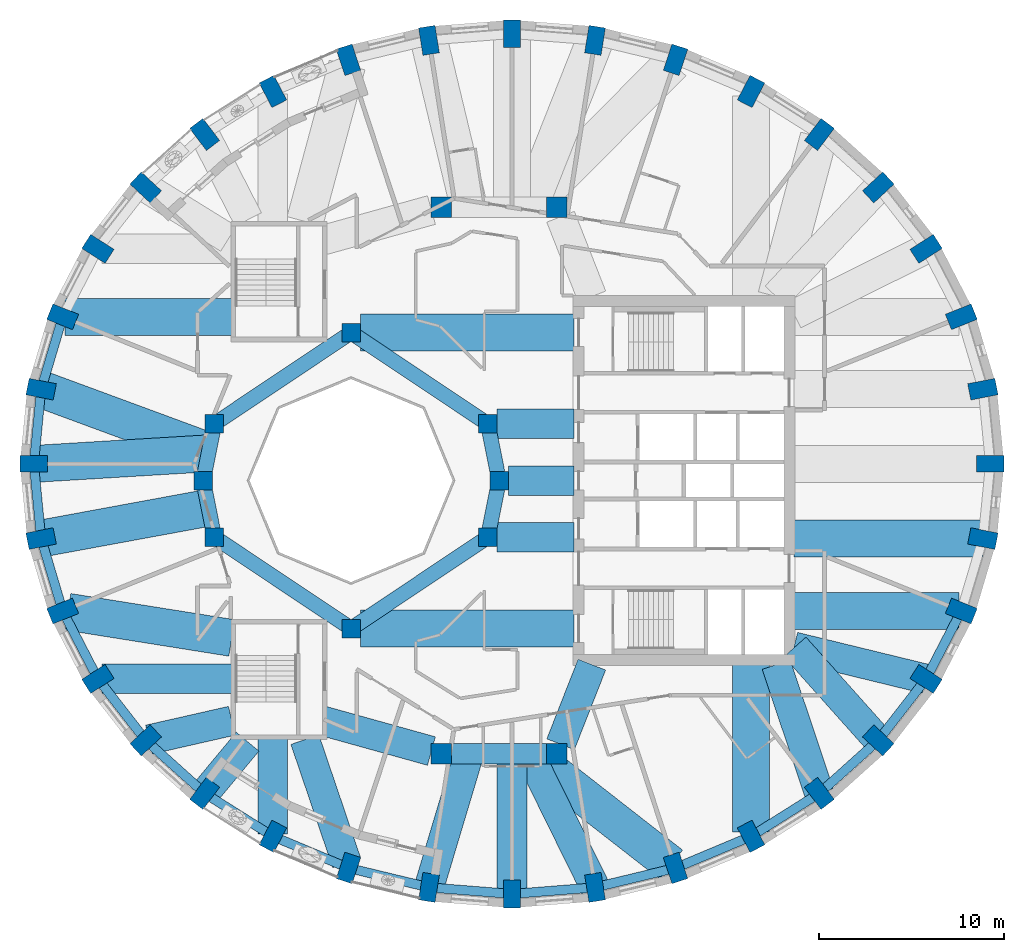
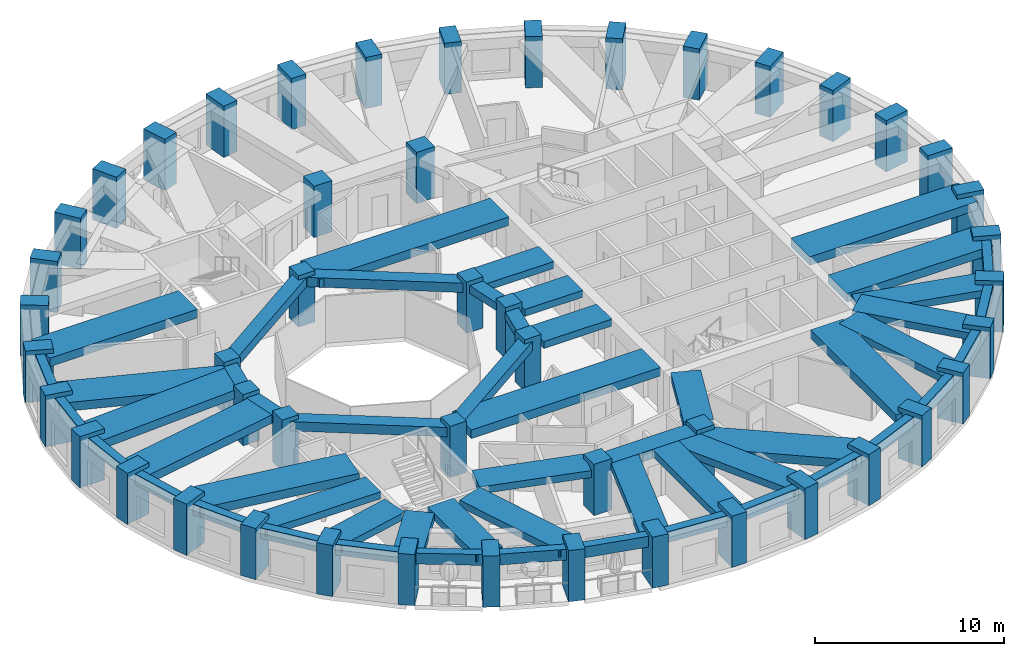
# One storey, part 1 of 12: 54 beams, 48 columns.
"""IFC4 building model written with IfcOpenShell, lengths in metres."""

from ifc_helpers import new_model, si_unit, direction, frame, origin, origin_2d, place, context, subcontext, project, spatial, rectangle, extrude, material, material_profile, profile_set, type_object, element, save


model = new_model("IFC4")

# Units and contexts
model_context = context("Model", 3, precision=1e-05, world=origin(), true_north=direction((0.0, 1.0)))
body_context = subcontext(model_context, "Body", "Model", "MODEL_VIEW")
ifc_project = project(units=[si_unit("LENGTHUNIT", "METRE"), si_unit("AREAUNIT", "SQUARE_METRE"), si_unit("VOLUMEUNIT", "CUBIC_METRE"), si_unit("PLANEANGLEUNIT", "RADIAN"), si_unit("MASSUNIT", "GRAM", prefix="KILO")], contexts=[model_context])

# Site, building, storey
site_placement = place(None, origin())
site = spatial("IfcSite", under=ifc_project, at=site_placement, CompositionType="ELEMENT")
building_placement = place(site_placement, origin())
building = spatial("IfcBuilding", under=site, at=building_placement, Name="Taillehof Tower", CompositionType="ELEMENT")
storey_placement = place(building_placement, frame((0.0, 0.0, 215.60009765625)))
storey = spatial("IfcBuildingStorey", under=building, at=storey_placement, Name="L61", CompositionType="ELEMENT", Elevation=215.60009765625)

# Columns
ifc_material_1 = material(Name="Concrete C50/60", Category="concrete")
ifc_material_profile_1 = material_profile(ifc_material_1, rectangle(XDim=1.0, YDim=1.0, at=origin_2d()), Name="RC 1000x1000")
ifc_profile_set_1 = profile_set([ifc_material_profile_1], Name="Concrete C50/60")
column_type_1 = type_object("IfcColumnType", Name="Atrium ring column C50/60 1000x1000", PredefinedType="COLUMN", material=ifc_profile_set_1)
for number, where, z_axis, x_axis, name in (
    (1, (0.0, 0.0, 0.0), (0.0, 0.0, 1.0), (1.0, 0.0, 0.0), "Column AC01"),
    (2, (-0.60888671875, 3.0615234375, 0.0), (0.0, 0.0, 1.0), (1.0, 0.0, 0.0), "Column AC02"),
    (3, (-8.0, 8.0, 0.0), (0.0, 0.0, 1.0), (1.0, 0.0, 0.0), "Column AC05"),
    (4, (-15.39111328125, 3.0615234375, 0.0), (0.0, 0.0, 1.0), (1.0, 0.0, 0.0), "Column AC08"),
    (5, (-16.0, 0.0, 0.0), (0.0, 0.0, 1.0), (1.0, 0.0, 0.0), "Column AC09"),
    (6, (-15.39111328125, -3.0615234375, 0.0), (0.0, 0.0, 1.0), (1.0, 0.0, 0.0), "Column AC10"),
    (7, (-8.0, -8.0, 0.0), (0.0, 0.0, 1.0), (1.0, 0.0, 0.0), "Column AC13"),
    (8, (-0.60888671875, -3.0615234375, 0.0), (0.0, 0.0, 1.0), (1.0, 0.0, 0.0), "Column AC16"),
):
    element("IfcColumn", number, at=place(storey_placement, frame(where, z_axis=z_axis, x_axis=x_axis)), inside=storey, type_object=column_type_1, Name=name, PredefinedType="COLUMN", context=body_context, shape_type="SweptSolid", body=[
        extrude(rectangle(XDim=1.0, YDim=1.0, at=origin_2d()), origin(), (0.0, 0.0, 1.0), 3.2998046875),
    ])
ifc_material_2 = material(Name="Concrete C50/60", Category="concrete")
ifc_material_profile_2 = material_profile(ifc_material_2, rectangle(XDim=1.10009765625, YDim=1.10009765625, at=origin_2d()), Name="RC 1100x1100")
ifc_profile_set_2 = profile_set([ifc_material_profile_2], Name="Concrete C50/60")
column_type_2 = type_object("IfcColumnType", Name="Mid-ring column C50/60 1100x1100", PredefinedType="COLUMN", material=ifc_profile_set_2)
for number, where, z_axis, x_axis, name in (
    (9, (3.125732421875, 14.772216796875, 0.0), (0.0, 0.0, 1.0), (1.0, 0.0, 0.0), "Column MC05"),
    (10, (-3.125732421875, 14.772216796875, 0.0), (0.0, 0.0, 1.0), (1.0, 0.0, 0.0), "Column MC06"),
    (11, (-3.125732421875, -14.772216796875, 0.0), (0.0, 0.0, 1.0), (1.0, 0.0, 0.0), "Column MC14"),
    (12, (3.125732421875, -14.772216796875, 0.0), (0.0, 0.0, 1.0), (1.0, 0.0, 0.0), "Column MC15"),
):
    element("IfcColumn", number, at=place(storey_placement, frame(where, z_axis=z_axis, x_axis=x_axis)), inside=storey, type_object=column_type_2, Name=name, PredefinedType="COLUMN", context=body_context, shape_type="SweptSolid", body=[
        extrude(rectangle(XDim=1.10009765625, YDim=1.10009765625, at=origin_2d()), origin(), (0.0, 0.0, 1.0), 3.2998046875),
    ])
ifc_material_3 = material(Name="Concrete C60/75", Category="concrete")
ifc_material_profile_3 = material_profile(ifc_material_3, rectangle(XDim=1.5, YDim=0.89990234375, at=origin_2d()), Name="RC 1500x900")
ifc_profile_set_3 = profile_set([ifc_material_profile_3], Name="Concrete C60/75")
column_type_3 = type_object("IfcColumnType", Name="Ring column C60/75 1500x900", PredefinedType="COLUMN", material=ifc_profile_set_3)
for number, where, z_axis, x_axis, name in (
    (13, (26.550048828125, 0.89990234375, 0.0), (0.0, 0.0, 1.0), (1.0, 0.0, 0.0), "Ring column RC01"),
    (14, (26.1572265625, 4.937255859375, 0.0), (0.0, 0.0, 1.0), (0.981433894538, 0.191800705555, 0.0), "Ring column RC02"),
    (15, (24.990966796875, 8.85205078125, 0.0), (0.0, 0.0, 1.0), (0.927385290523, 0.374107635477, 0.0), "Ring column RC03"),
    (16, (23.086669921875, 12.52490234375, 0.0), (0.0, 0.0, 1.0), (0.84231094199, 0.538991908107, 0.0), "Ring column RC04"),
    (17, (20.502197265625, 15.8447265625, 0.0), (0.0, 0.0, 1.0), (0.732270888356, 0.681013469813, 0.0), "Ring column RC05"),
    (18, (17.316162109375, 18.71044921875, 0.0), (0.0, 0.0, 1.0), (0.60360770772, 0.797281465469, 0.0), "Ring column RC06"),
    (19, (13.625, 21.03515625, 0.0), (0.0, 0.0, 1.0), (0.461993199576, 0.886883466722, 0.0), "Ring column RC07"),
    (20, (9.541259765625, 22.747802734375, 0.0), (0.0, 0.0, 1.0), (0.312001306843, 0.950081672557, 0.0), "Ring column RC08"),
    (21, (5.188720703125, 23.796875, 0.0), (0.0, 0.0, 1.0), (0.157116034607, 0.987580149491, 0.0), "Ring column RC09"),
    (22, (0.699951171875, 24.14990234375, 0.0), (0.0, 0.0, 1.0), (0.0, 1.0, 0.0), "Ring column RC10"),
    (23, (-3.788818359375, 23.796875, 0.0), (0.0, 0.0, 1.0), (-0.157116034607, 0.987580149491, 0.0), "Ring column RC11"),
    (24, (-8.14111328125, 22.747802734375, 0.0), (0.0, 0.0, 1.0), (-0.312001306843, 0.950081672557, 0.0), "Ring column RC12"),
    (25, (-12.22509765625, 21.03515625, 0.0), (0.0, 0.0, 1.0), (-0.461993199576, 0.886883466722, 0.0), "Ring column RC13"),
    (26, (-15.916015625, 18.71044921875, 0.0), (0.0, 0.0, 1.0), (-0.60360770772, 0.797281465469, 0.0), "Ring column RC14"),
    (27, (-19.102294921875, 15.8447265625, 0.0), (0.0, 0.0, 1.0), (-0.732270888356, 0.681013469813, 0.0), "Ring column RC15"),
    (28, (-21.686767578125, 12.52490234375, 0.0), (0.0, 0.0, 1.0), (-0.84231094199, 0.538991908107, 0.0), "Ring column RC16"),
    (29, (-23.591064453125, 8.85205078125, 0.0), (0.0, 0.0, 1.0), (-0.927385290523, 0.374107635477, 0.0), "Ring column RC17"),
    (30, (-24.75732421875, 4.937255859375, 0.0), (0.0, 0.0, 1.0), (-0.981433894538, 0.191800705555, 0.0), "Ring column RC18"),
    (31, (-25.14990234375, 0.89990234375, 0.0), (0.0, 0.0, 1.0), (-1.0, 0.0, 0.0), "Ring column RC19"),
    (32, (-24.75732421875, -3.13720703125, 0.0), (0.0, 0.0, 1.0), (-0.981433894538, -0.191800705555, 0.0), "Ring column RC20"),
    (33, (-23.591064453125, -7.052001953125, 0.0), (0.0, 0.0, 1.0), (-0.927385290523, -0.374107635477, 0.0), "Ring column RC21"),
    (34, (-21.686767578125, -10.72509765625, 0.0), (0.0, 0.0, 1.0), (-0.84231094199, -0.538991908107, 0.0), "Ring column RC22"),
    (35, (-19.102294921875, -14.044921875, 0.0), (0.0, 0.0, 1.0), (-0.732270888356, -0.681013469813, 0.0), "Ring column RC23"),
    (36, (-15.916015625, -16.91064453125, 0.0), (0.0, 0.0, 1.0), (-0.60360770772, -0.797281465469, 0.0), "Ring column RC24"),
    (37, (-12.22509765625, -19.235107421875, 0.0), (0.0, 0.0, 1.0), (-0.461993199576, -0.886883466722, 0.0), "Ring column RC25"),
    (38, (-8.14111328125, -20.94775390625, 0.0), (0.0, 0.0, 1.0), (-0.312001306843, -0.950081672557, 0.0), "Ring column RC26"),
    (39, (-3.788818359375, -21.996826171875, 0.0), (0.0, 0.0, 1.0), (-0.157116034607, -0.987580149491, 0.0), "Ring column RC27"),
    (40, (0.699951171875, -22.35009765625, 0.0), (0.0, 0.0, 1.0), (0.0, -1.0, 0.0), "Ring column RC28"),
    (41, (5.188720703125, -21.996826171875, 0.0), (0.0, 0.0, 1.0), (0.157116034607, -0.987580149491, 0.0), "Ring column RC29"),
    (42, (9.541259765625, -20.94775390625, 0.0), (0.0, 0.0, 1.0), (0.312001306843, -0.950081672557, 0.0), "Ring column RC30"),
    (43, (13.625, -19.235107421875, 0.0), (0.0, 0.0, 1.0), (0.461993199576, -0.886883466722, 0.0), "Ring column RC31"),
    (44, (17.316162109375, -16.91064453125, 0.0), (0.0, 0.0, 1.0), (0.60360770772, -0.797281465469, 0.0), "Ring column RC32"),
    (45, (20.502197265625, -14.044921875, 0.0), (0.0, 0.0, 1.0), (0.732270888356, -0.681013469813, 0.0), "Ring column RC33"),
    (46, (23.086669921875, -10.72509765625, 0.0), (0.0, 0.0, 1.0), (0.84231094199, -0.538991908107, 0.0), "Ring column RC34"),
    (47, (24.990966796875, -7.052001953125, 0.0), (0.0, 0.0, 1.0), (0.927385290523, -0.374107635477, 0.0), "Ring column RC35"),
    (48, (26.1572265625, -3.13720703125, 0.0), (0.0, 0.0, 1.0), (0.981433894538, -0.191800705555, 0.0), "Ring column RC36"),
):
    element("IfcColumn", number, at=place(storey_placement, frame(where, z_axis=z_axis, x_axis=x_axis)), inside=storey, type_object=column_type_3, Name=name, PredefinedType="COLUMN", context=body_context, shape_type="SweptSolid", body=[
        extrude(rectangle(XDim=1.5, YDim=0.89990234375, at=origin_2d()), origin(), (0.0, 0.0, 1.0), 3.2998046875),
    ])

# Beams
ifc_material_4 = material(Name="Concrete C50/60", Category="concrete")
ifc_material_profile_4 = material_profile(ifc_material_4, rectangle(XDim=0.800048828125, YDim=0.5, at=origin_2d()), Name="RC 800x500")
ifc_profile_set_4 = profile_set([ifc_material_profile_4], Name="Concrete C50/60")
beam_type_1 = type_object("IfcBeamType", Name="Atrium ring beam C50/60 800x500", PredefinedType="BEAM", material=ifc_profile_set_4)
for number, where, z_axis, x_axis, name in (
    (49, (0.0, 0.0, 2.77001953125), (-0.195063155143, 0.980790683839, 0.0), (-0.980790683839, -0.195063155143, 0.0), "Atrium ring beam AB01"),
    (50, (-15.39111328125, 3.0615234375, 2.77001953125), (-0.195063155143, -0.980790683839, 0.0), (0.980790683839, -0.195063155143, 0.0), "Atrium ring beam AB04"),
    (51, (-16.0, 0.0, 2.77001953125), (0.195063155143, -0.980790683839, 0.0), (0.980790683839, 0.195063155143, 0.0), "Atrium ring beam AB05"),
    (52, (-0.60888671875, -3.0615234375, 2.77001953125), (0.195063155143, 0.980790683839, 0.0), (-0.980790683839, 0.195063155143, 0.0), "Atrium ring beam AB08"),
):
    element("IfcBeam", number, at=place(storey_placement, frame(where, z_axis=z_axis, x_axis=x_axis)), inside=storey, type_object=beam_type_1, Name=name, PredefinedType="BEAM", context=body_context, shape_type="SweptSolid", body=[
        extrude(rectangle(XDim=0.800048828125, YDim=0.5, at=origin_2d()), origin(), (0.0, 0.0, 1.0), 3.12158203125),
    ])
ifc_material_5 = material(Name="Concrete C50/60", Category="concrete")
ifc_material_profile_5 = material_profile(ifc_material_5, rectangle(XDim=0.800048828125, YDim=0.60009765625, at=origin_2d()), Name="RC 800x600")
ifc_profile_set_5 = profile_set([ifc_material_profile_5], Name="Concrete C50/60")
beam_type_2 = type_object("IfcBeamType", Name="Atrium ring beam C50/60 800x600", PredefinedType="BEAM", material=ifc_profile_set_5)
for number, where, z_axis, x_axis, name in (
    (53, (-0.60888671875, 3.0615234375, 2.719970703125), (-0.831475195687, 0.555561876804, 0.0), (-0.555561876804, -0.831475195687, 0.0), "Atrium ring beam AB02"),
    (54, (-8.0, 8.0, 2.719970703125), (-0.831475195687, -0.555561876804, 0.0), (0.555561876804, -0.831475195687, 0.0), "Atrium ring beam AB03"),
    (55, (-15.39111328125, -3.0615234375, 2.719970703125), (0.831475195687, -0.555561876804, 0.0), (0.555561876804, 0.831475195687, 0.0), "Atrium ring beam AB06"),
    (56, (-8.0, -8.0, 2.719970703125), (0.831475195687, 0.555561876804, 0.0), (-0.555561876804, 0.831475195687, 0.0), "Atrium ring beam AB07"),
):
    element("IfcBeam", number, at=place(storey_placement, frame(where, z_axis=z_axis, x_axis=x_axis)), inside=storey, type_object=beam_type_2, Name=name, PredefinedType="BEAM", context=body_context, shape_type="SweptSolid", body=[
        extrude(rectangle(XDim=0.800048828125, YDim=0.60009765625, at=origin_2d()), origin(), (0.0, 0.0, 1.0), 8.88916015625),
    ])
ifc_material_6 = material(Name="Concrete C50/60", Category="concrete")
ifc_material_profile_6 = material_profile(ifc_material_6, rectangle(XDim=1.10009765625, YDim=0.60009765625, at=origin_2d()), Name="RC 1100x600")
ifc_profile_set_6 = profile_set([ifc_material_profile_6], Name="Concrete C50/60")
beam_type_3 = type_object("IfcBeamType", Name="Mid-ring beam C50/60 1100x600", PredefinedType="BEAM", material=ifc_profile_set_6)
beam_1_placement = place(storey_placement, frame((-3.125732421875, -14.772216796875, 2.719970703125), z_axis=(1.0, 0.0, 0.0), x_axis=(0.0, 1.0, 0.0)))
element("IfcBeam", 57, at=beam_1_placement, inside=storey, type_object=beam_type_3, Name="Mid-ring beam MB02", PredefinedType="BEAM", context=body_context, shape_type="SweptSolid", body=[
    extrude(rectangle(XDim=1.10009765625, YDim=0.60009765625, at=origin_2d()), origin(), (0.0, 0.0, 1.0), 6.25146484375),
])
ifc_material_7 = material(Name="Concrete C50/60", Category="concrete")
ifc_material_profile_7 = material_profile(ifc_material_7, rectangle(XDim=1.60009765625, YDim=0.449951171875, at=origin_2d()), Name="RC 1600x450")
ifc_profile_set_7 = profile_set([ifc_material_profile_7], Name="Concrete C50/60")
beam_type_4 = type_object("IfcBeamType", Name="Radial band beam C50/60 1600x450", PredefinedType="BEAM", material=ifc_profile_set_7)
beam_2_placement = place(storey_placement, frame((-21.47021484375, -10.72509765625, 2.794921875), z_axis=(1.0, 0.0, 0.0), x_axis=(0.0, 1.0, 0.0)))
element("IfcBeam", 58, at=beam_2_placement, inside=storey, type_object=beam_type_4, Name="Radial band beam RB22", PredefinedType="BEAM", context=body_context, shape_type="SweptSolid", body=[
    extrude(rectangle(XDim=1.60009765625, YDim=0.449951171875, at=origin_2d()), origin(), (0.0, 0.0, 1.0), 7.020263671875),
])
beam_3_placement = place(storey_placement, frame((-18.929931640625, -14.005615234375, 2.794921875), z_axis=(0.975193914537, 0.221352273651, 0.0), x_axis=(-0.221352273651, 0.975193914537, 0.0)))
element("IfcBeam", 59, at=beam_3_placement, inside=storey, type_object=beam_type_4, Name="Radial band beam RB23", PredefinedType="BEAM", context=body_context, shape_type="SweptSolid", body=[
    extrude(rectangle(XDim=1.60009765625, YDim=0.449951171875, at=origin_2d()), origin(), (0.0, 0.0, 1.0), 4.5927734375),
])
beam_4_placement = place(storey_placement, frame((-15.916015625, -16.91064453125, 2.794921875), z_axis=(0.638722345868, 0.769437304066, 0.0), x_axis=(-0.769437304066, 0.638722345868, 0.0)))
element("IfcBeam", 60, at=beam_4_placement, inside=storey, type_object=beam_type_4, Name="Radial band beam RB24", PredefinedType="BEAM", context=body_context, shape_type="SweptSolid", body=[
    extrude(rectangle(XDim=1.60009765625, YDim=0.449951171875, at=origin_2d()), origin(), (0.0, 0.0, 1.0), 3.6328125),
])
beam_5_placement = place(storey_placement, frame((-12.22509765625, -19.101318359375, 2.794921875), z_axis=(0.0, 1.0, 0.0), x_axis=(-1.0, 0.0, 0.0)))
element("IfcBeam", 61, at=beam_5_placement, inside=storey, type_object=beam_type_4, Name="Radial band beam RB25", PredefinedType="BEAM", context=body_context, shape_type="SweptSolid", body=[
    extrude(rectangle(XDim=1.60009765625, YDim=0.449951171875, at=origin_2d()), origin(), (0.0, 0.0, 1.0), 5.1513671875),
])
beam_6_placement = place(storey_placement, frame((-8.233642578125, -20.675537109375, 2.794921875), z_axis=(-0.321475101084, 0.94691803203, 0.0), x_axis=(-0.94691803203, -0.321475101084, 0.0)))
element("IfcBeam", 62, at=beam_6_placement, inside=storey, type_object=beam_type_4, Name="Radial band beam RB26", PredefinedType="BEAM", context=body_context, shape_type="SweptSolid", body=[
    extrude(rectangle(XDim=1.60009765625, YDim=0.449951171875, at=origin_2d()), origin(), (0.0, 0.0, 1.0), 7.042236328125),
])
beam_7_placement = place(storey_placement, frame((-3.788818359375, -21.996826171875, 2.794921875), z_axis=(0.286825122153, 0.957982958774, 0.0), x_axis=(-0.957982958774, 0.286825122153, 0.0)))
element("IfcBeam", 63, at=beam_7_placement, inside=storey, type_object=beam_type_4, Name="Radial band beam RB27", PredefinedType="BEAM", context=body_context, shape_type="SweptSolid", body=[
    extrude(rectangle(XDim=1.60009765625, YDim=0.449951171875, at=origin_2d()), origin(), (0.0, 0.0, 1.0), 7.54150390625),
])
beam_8_placement = place(storey_placement, frame((0.699951171875, -22.35009765625, 2.794921875), z_axis=(0.0, 1.0, 0.0), x_axis=(-1.0, 0.0, 0.0)))
element("IfcBeam", 64, at=beam_8_placement, inside=storey, type_object=beam_type_4, Name="Radial band beam RB28", PredefinedType="BEAM", context=body_context, shape_type="SweptSolid", body=[
    extrude(rectangle(XDim=1.60009765625, YDim=0.449951171875, at=origin_2d()), origin(), (0.0, 0.0, 1.0), 7.577880859375),
])
beam_9_placement = place(storey_placement, frame((5.188720703125, -21.996826171875, 2.794921875), z_axis=(-0.442309181818, 0.896862635903, 0.0), x_axis=(-0.896862635903, -0.442309181818, 0.0)))
element("IfcBeam", 65, at=beam_9_placement, inside=storey, type_object=beam_type_4, Name="Radial band beam RB29", PredefinedType="BEAM", context=body_context, shape_type="SweptSolid", body=[
    extrude(rectangle(XDim=1.60009765625, YDim=0.449951171875, at=origin_2d()), origin(), (0.0, 0.0, 1.0), 8.055419921875),
])
beam_10_placement = place(storey_placement, frame((17.314697265625, -16.906494140625, 2.794921875), z_axis=(-0.317775276173, 0.948166058164, 0.0), x_axis=(-0.948166058164, -0.317775276173, 0.0)))
element("IfcBeam", 66, at=beam_10_placement, inside=storey, type_object=beam_type_4, Name="Radial band beam RB32", PredefinedType="BEAM", context=body_context, shape_type="SweptSolid", body=[
    extrude(rectangle(XDim=1.60009765625, YDim=0.449951171875, at=origin_2d()), origin(), (0.0, 0.0, 1.0), 7.333984375),
])
beam_11_placement = place(storey_placement, frame((20.502197265625, -14.044921875, 2.794921875), z_axis=(-0.665845101725, 0.746090008316, 0.0), x_axis=(-0.746090008316, -0.665845101725, 0.0)))
element("IfcBeam", 67, at=beam_11_placement, inside=storey, type_object=beam_type_4, Name="Radial band beam RB33", PredefinedType="BEAM", context=body_context, shape_type="SweptSolid", body=[
    extrude(rectangle(XDim=1.60009765625, YDim=0.449951171875, at=origin_2d()), origin(), (0.0, 0.0, 1.0), 6.766357421875),
])
beam_12_placement = place(storey_placement, frame((23.07568359375, -10.722412109375, 2.794921875), z_axis=(-0.971629977108, 0.236506210459, 0.0), x_axis=(-0.236506210459, -0.971629977108, 0.0)))
element("IfcBeam", 68, at=beam_12_placement, inside=storey, type_object=beam_type_4, Name="Radial band beam RB34", PredefinedType="BEAM", context=body_context, shape_type="SweptSolid", body=[
    extrude(rectangle(XDim=1.60009765625, YDim=0.449951171875, at=origin_2d()), origin(), (0.0, 0.0, 1.0), 7.332275390625),
])
beam_13_placement = place(storey_placement, frame((0.5, 0.0, 2.794921875), z_axis=(1.0, 0.0, 0.0), x_axis=(0.0, 1.0, 0.0)))
element("IfcBeam", 69, at=beam_13_placement, inside=storey, type_object=beam_type_4, Name="Inner band beam IB101", PredefinedType="BEAM", context=body_context, shape_type="SweptSolid", body=[
    extrude(rectangle(XDim=1.60009765625, YDim=0.449951171875, at=origin_2d()), origin(), (0.0, 0.0, 1.0), 3.550048828125),
])
for number, where, z_axis, x_axis, name in (
    (70, (-0.10888671875, 3.0615234375, 2.794921875), (1.0, 0.0, 0.0), (0.0, 1.0, 0.0), "Inner band beam IB102"),
    (71, (-0.10888671875, -3.0615234375, 2.794921875), (1.0, 0.0, 0.0), (0.0, 1.0, 0.0), "Inner band beam IB116"),
):
    element("IfcBeam", number, at=place(storey_placement, frame(where, z_axis=z_axis, x_axis=x_axis)), inside=storey, type_object=beam_type_4, Name=name, PredefinedType="BEAM", context=body_context, shape_type="SweptSolid", body=[
        extrude(rectangle(XDim=1.60009765625, YDim=0.449951171875, at=origin_2d()), origin(), (0.0, 0.0, 1.0), 4.158935546875),
    ])
beam_14_placement = place(storey_placement, frame((-3.655517578125, -14.624755859375, 2.794921875), z_axis=(-0.963459369536, 0.267854518821, 0.0), x_axis=(-0.267854518821, -0.963459369536, 0.0)))
element("IfcBeam", 72, at=beam_14_placement, inside=storey, type_object=beam_type_4, Name="Inner band beam IB214", PredefinedType="BEAM", context=body_context, shape_type="SweptSolid", body=[
    extrude(rectangle(XDim=1.60009765625, YDim=0.449951171875, at=origin_2d()), origin(), (0.0, 0.0, 1.0), 6.096923828125),
])
beam_15_placement = place(storey_placement, frame((3.32666015625, -14.26025390625, 2.794921875), z_axis=(0.365588707223, 0.930776502255, 0.0), x_axis=(-0.930776502255, 0.365588707223, 0.0)))
element("IfcBeam", 73, at=beam_15_placement, inside=storey, type_object=beam_type_4, Name="Inner band beam IB215", PredefinedType="BEAM", context=body_context, shape_type="SweptSolid", body=[
    extrude(rectangle(XDim=1.60009765625, YDim=0.449951171875, at=origin_2d()), origin(), (0.0, 0.0, 1.0), 4.627197265625),
])
ifc_material_8 = material(Name="Concrete C50/60", Category="concrete")
ifc_material_profile_8 = material_profile(ifc_material_8, rectangle(XDim=2.0, YDim=0.550048828125, at=origin_2d()), Name="RC 2000x550")
ifc_profile_set_8 = profile_set([ifc_material_profile_8], Name="Concrete C50/60")
beam_type_5 = type_object("IfcBeamType", Name="Radial band beam C50/60 2000x550", PredefinedType="BEAM", material=ifc_profile_set_8)
beam_16_placement = place(storey_placement, frame((-23.4560546875, 8.85205078125, 2.744873046875), z_axis=(1.0, 0.0, 0.0), x_axis=(0.0, 1.0, 0.0)))
element("IfcBeam", 74, at=beam_16_placement, inside=storey, type_object=beam_type_5, Name="Radial band beam RB17", PredefinedType="BEAM", context=body_context, shape_type="SweptSolid", body=[
    extrude(rectangle(XDim=2.0, YDim=0.550048828125, at=origin_2d()), origin(), (0.0, 0.0, 1.0), 9.006103515625),
])
beam_17_placement = place(storey_placement, frame((-24.75732421875, 4.937255859375, 2.744873046875), z_axis=(0.938209870924, -0.346066811615, 0.0), x_axis=(0.346066811615, 0.938209870924, 0.0)))
element("IfcBeam", 75, at=beam_17_placement, inside=storey, type_object=beam_type_5, Name="Radial band beam RB18", PredefinedType="BEAM", context=body_context, shape_type="SweptSolid", body=[
    extrude(rectangle(XDim=2.0, YDim=0.550048828125, at=origin_2d()), origin(), (0.0, 0.0, 1.0), 9.67138671875),
])
beam_18_placement = place(storey_placement, frame((-25.14990234375, 0.89990234375, 2.744873046875), z_axis=(0.998174819199, 0.060390647592, 0.0), x_axis=(-0.060390647592, 0.998174819199, 0.0)))
element("IfcBeam", 76, at=beam_18_placement, inside=storey, type_object=beam_type_5, Name="Radial band beam RB19", PredefinedType="BEAM", context=body_context, shape_type="SweptSolid", body=[
    extrude(rectangle(XDim=2.0, YDim=0.550048828125, at=origin_2d()), origin(), (0.0, 0.0, 1.0), 9.4599609375),
])
beam_19_placement = place(storey_placement, frame((-24.75732421875, -3.13720703125, 2.744873046875), z_axis=(0.983474452744, 0.181046957445, 0.0), x_axis=(-0.181046957445, 0.983474452744, 0.0)))
element("IfcBeam", 77, at=beam_19_placement, inside=storey, type_object=beam_type_5, Name="Radial band beam RB20", PredefinedType="BEAM", context=body_context, shape_type="SweptSolid", body=[
    extrude(rectangle(XDim=2.0, YDim=0.550048828125, at=origin_2d()), origin(), (0.0, 0.0, 1.0), 9.2021484375),
])
beam_20_placement = place(storey_placement, frame((-23.3076171875, -7.09716796875, 2.744873046875), z_axis=(0.987552836313, -0.157287620272, 0.0), x_axis=(0.157287620272, 0.987552836313, 0.0)))
element("IfcBeam", 78, at=beam_20_placement, inside=storey, type_object=beam_type_5, Name="Radial band beam RB21", PredefinedType="BEAM", context=body_context, shape_type="SweptSolid", body=[
    extrude(rectangle(XDim=2.0, YDim=0.550048828125, at=origin_2d()), origin(), (0.0, 0.0, 1.0), 8.968505859375),
])
beam_21_placement = place(storey_placement, frame((9.3076171875, -20.765625, 2.744873046875), z_axis=(-0.788425359087, 0.615130435882, 0.0), x_axis=(-0.615130435882, -0.788425359087, 0.0)))
element("IfcBeam", 79, at=beam_21_placement, inside=storey, type_object=beam_type_5, Name="Radial band beam RB30", PredefinedType="BEAM", context=body_context, shape_type="SweptSolid", body=[
    extrude(rectangle(XDim=2.0, YDim=0.550048828125, at=origin_2d()), origin(), (0.0, 0.0, 1.0), 9.35595703125),
])
beam_22_placement = place(storey_placement, frame((13.625, -18.99755859375, 2.744873046875), z_axis=(0.0, 1.0, 0.0), x_axis=(-1.0, 0.0, 0.0)))
element("IfcBeam", 80, at=beam_22_placement, inside=storey, type_object=beam_type_5, Name="Radial band beam RB31", PredefinedType="BEAM", context=body_context, shape_type="SweptSolid", body=[
    extrude(rectangle(XDim=2.0, YDim=0.550048828125, at=origin_2d()), origin(), (0.0, 0.0, 1.0), 9.047607421875),
])
beam_23_placement = place(storey_placement, frame((24.856201171875, -7.052001953125, 2.744873046875), z_axis=(-1.0, 0.0, 0.0), x_axis=(0.0, -1.0, 0.0)))
element("IfcBeam", 81, at=beam_23_placement, inside=storey, type_object=beam_type_5, Name="Radial band beam RB35", PredefinedType="BEAM", context=body_context, shape_type="SweptSolid", body=[
    extrude(rectangle(XDim=2.0, YDim=0.550048828125, at=origin_2d()), origin(), (0.0, 0.0, 1.0), 8.90625),
])
beam_24_placement = place(storey_placement, frame((26.1572265625, -3.13720703125, 2.744873046875), z_axis=(-1.0, 0.0, 0.0), x_axis=(0.0, -1.0, 0.0)))
element("IfcBeam", 82, at=beam_24_placement, inside=storey, type_object=beam_type_5, Name="Radial band beam RB36", PredefinedType="BEAM", context=body_context, shape_type="SweptSolid", body=[
    extrude(rectangle(XDim=2.0, YDim=0.550048828125, at=origin_2d()), origin(), (0.0, 0.0, 1.0), 10.207275390625),
])
for number, where, z_axis, x_axis, name in (
    (83, (-7.5, 8.0, 2.744873046875), (1.0, 0.0, 0.0), (0.0, 1.0, 0.0), "Inner band beam IB105"),
    (84, (-7.5, -8.0, 2.744873046875), (1.0, 0.0, 0.0), (0.0, 1.0, 0.0), "Inner band beam IB113"),
):
    element("IfcBeam", number, at=place(storey_placement, frame(where, z_axis=z_axis, x_axis=x_axis)), inside=storey, type_object=beam_type_5, Name=name, PredefinedType="BEAM", context=body_context, shape_type="SweptSolid", body=[
        extrude(rectangle(XDim=2.0, YDim=0.550048828125, at=origin_2d()), origin(), (0.0, 0.0, 1.0), 11.550048828125),
    ])
ifc_material_9 = material(Name="Concrete C50/60", Category="concrete")
ifc_material_profile_9 = material_profile(ifc_material_9, rectangle(XDim=0.5, YDim=0.699951171875, at=origin_2d()), Name="RC 500x700")
ifc_profile_set_9 = profile_set([ifc_material_profile_9], Name="Concrete C50/60")
beam_type_6 = type_object("IfcBeamType", Name="Spandrel beam C50/60 500x700", PredefinedType="SPANDREL", material=ifc_profile_set_9)
beam_25_placement = place(storey_placement, frame((-23.591064453125, 8.85205078125, 2.669921875), z_axis=(-0.285510458946, -0.9583755933, 0.0), x_axis=(0.9583755933, -0.285510458946, 0.0)))
element("IfcBeam", 85, at=beam_25_placement, inside=storey, type_object=beam_type_6, Name="Spandrel beam SB17", PredefinedType="SPANDREL", context=body_context, shape_type="SweptSolid", body=[
    extrude(rectangle(XDim=0.5, YDim=0.699951171875, at=origin_2d()), origin(), (0.0, 0.0, 1.0), 4.084716796875),
])
beam_26_placement = place(storey_placement, frame((-24.75732421875, 4.937255859375, 2.669921875), z_axis=(-0.096780051712, -0.995305793006, 0.0), x_axis=(0.995305793006, -0.096780051712, 0.0)))
element("IfcBeam", 86, at=beam_26_placement, inside=storey, type_object=beam_type_6, Name="Spandrel beam SB18", PredefinedType="SPANDREL", context=body_context, shape_type="SweptSolid", body=[
    extrude(rectangle(XDim=0.5, YDim=0.699951171875, at=origin_2d()), origin(), (0.0, 0.0, 1.0), 4.056396484375),
])
beam_27_placement = place(storey_placement, frame((-25.14990234375, 0.89990234375, 2.669921875), z_axis=(0.096785849576, -0.995305229225, 0.0), x_axis=(0.995305229225, 0.096785849576, 0.0)))
element("IfcBeam", 87, at=beam_27_placement, inside=storey, type_object=beam_type_6, Name="Spandrel beam SB19", PredefinedType="SPANDREL", context=body_context, shape_type="SweptSolid", body=[
    extrude(rectangle(XDim=0.5, YDim=0.699951171875, at=origin_2d()), origin(), (0.0, 0.0, 1.0), 4.05615234375),
])
beam_28_placement = place(storey_placement, frame((-24.75732421875, -3.13720703125, 2.669921875), z_axis=(0.285510458946, -0.9583755933, 0.0), x_axis=(0.9583755933, 0.285510458946, 0.0)))
element("IfcBeam", 88, at=beam_28_placement, inside=storey, type_object=beam_type_6, Name="Spandrel beam SB20", PredefinedType="SPANDREL", context=body_context, shape_type="SweptSolid", body=[
    extrude(rectangle(XDim=0.5, YDim=0.699951171875, at=origin_2d()), origin(), (0.0, 0.0, 1.0), 4.084716796875),
])
beam_29_placement = place(storey_placement, frame((-23.591064453125, -7.052001953125, 2.669921875), z_axis=(0.460265491458, -0.887781322947, 0.0), x_axis=(0.887781322947, 0.460265491458, 0.0)))
element("IfcBeam", 89, at=beam_29_placement, inside=storey, type_object=beam_type_6, Name="Spandrel beam SB21", PredefinedType="SPANDREL", context=body_context, shape_type="SweptSolid", body=[
    extrude(rectangle(XDim=0.5, YDim=0.699951171875, at=origin_2d()), origin(), (0.0, 0.0, 1.0), 4.137451171875),
])
beam_30_placement = place(storey_placement, frame((-21.686767578125, -10.72509765625, 2.669921875), z_axis=(0.614294081938, -0.789077170432, 0.0), x_axis=(0.789077170432, 0.614294081938, 0.0)))
element("IfcBeam", 90, at=beam_30_placement, inside=storey, type_object=beam_type_6, Name="Spandrel beam SB22", PredefinedType="SPANDREL", context=body_context, shape_type="SweptSolid", body=[
    extrude(rectangle(XDim=0.5, YDim=0.699951171875, at=origin_2d()), origin(), (0.0, 0.0, 1.0), 4.207275390625),
])
beam_31_placement = place(storey_placement, frame((-19.102294921875, -14.044921875, 2.669921875), z_axis=(0.743517893617, -0.668716039789, 0.0), x_axis=(0.668716039789, 0.743517893617, 0.0)))
element("IfcBeam", 91, at=beam_31_placement, inside=storey, type_object=beam_type_6, Name="Spandrel beam SB23", PredefinedType="SPANDREL", context=body_context, shape_type="SweptSolid", body=[
    extrude(rectangle(XDim=0.5, YDim=0.699951171875, at=origin_2d()), origin(), (0.0, 0.0, 1.0), 4.285400390625),
])
beam_32_placement = place(storey_placement, frame((-15.916015625, -16.91064453125, 2.669921875), z_axis=(0.846175819179, -0.532903821564, 0.0), x_axis=(0.532903821564, 0.846175819179, 0.0)))
element("IfcBeam", 92, at=beam_32_placement, inside=storey, type_object=beam_type_6, Name="Spandrel beam SB24", PredefinedType="SPANDREL", context=body_context, shape_type="SweptSolid", body=[
    extrude(rectangle(XDim=0.5, YDim=0.699951171875, at=origin_2d()), origin(), (0.0, 0.0, 1.0), 4.36181640625),
])
beam_33_placement = place(storey_placement, frame((-12.22509765625, -19.235107421875, 2.669921875), z_axis=(0.922193747603, -0.386728188632, 0.0), x_axis=(0.386728188632, 0.922193747603, 0.0)))
element("IfcBeam", 93, at=beam_33_placement, inside=storey, type_object=beam_type_6, Name="Spandrel beam SB25", PredefinedType="SPANDREL", context=body_context, shape_type="SweptSolid", body=[
    extrude(rectangle(XDim=0.5, YDim=0.699951171875, at=origin_2d()), origin(), (0.0, 0.0, 1.0), 4.428466796875),
])
beam_34_placement = place(storey_placement, frame((-8.14111328125, -20.94775390625, 2.669921875), z_axis=(0.972157646478, -0.234327784087, 0.0), x_axis=(0.234327784087, 0.972157646478, 0.0)))
element("IfcBeam", 94, at=beam_34_placement, inside=storey, type_object=beam_type_6, Name="Spandrel beam SB26", PredefinedType="SPANDREL", context=body_context, shape_type="SweptSolid", body=[
    extrude(rectangle(XDim=0.5, YDim=0.699951171875, at=origin_2d()), origin(), (0.0, 0.0, 1.0), 4.47705078125),
])
for number, where, z_axis, x_axis, name in (
    (95, (-3.788818359375, -21.996826171875, 2.669921875), (0.996917374369, -0.078458579393, 0.0), (0.078458579393, 0.996917374369, 0.0), "Spandrel beam SB27"),
    (96, (0.699951171875, -22.35009765625, 2.669921875), (0.996917374369, 0.078458579393, 0.0), (-0.078458579393, 0.996917374369, 0.0), "Spandrel beam SB28"),
):
    element("IfcBeam", number, at=place(storey_placement, frame(where, z_axis=z_axis, x_axis=x_axis)), inside=storey, type_object=beam_type_6, Name=name, PredefinedType="SPANDREL", context=body_context, shape_type="SweptSolid", body=[
        extrude(rectangle(XDim=0.5, YDim=0.699951171875, at=origin_2d()), origin(), (0.0, 0.0, 1.0), 4.502685546875),
    ])
beam_35_placement = place(storey_placement, frame((5.188720703125, -21.996826171875, 2.669921875), z_axis=(0.972160640613, 0.234315361943, 0.0), x_axis=(-0.234315361943, 0.972160640613, 0.0)))
element("IfcBeam", 97, at=beam_35_placement, inside=storey, type_object=beam_type_6, Name="Spandrel beam SB29", PredefinedType="SPANDREL", context=body_context, shape_type="SweptSolid", body=[
    extrude(rectangle(XDim=0.5, YDim=0.699951171875, at=origin_2d()), origin(), (0.0, 0.0, 1.0), 4.477294921875),
])
beam_36_placement = place(storey_placement, frame((9.541259765625, -20.94775390625, 2.669921875), z_axis=(0.92218550199, 0.386747850569, 0.0), x_axis=(-0.386747850569, 0.92218550199, 0.0)))
element("IfcBeam", 98, at=beam_36_placement, inside=storey, type_object=beam_type_6, Name="Spandrel beam SB30", PredefinedType="SPANDREL", context=body_context, shape_type="SweptSolid", body=[
    extrude(rectangle(XDim=0.5, YDim=0.699951171875, at=origin_2d()), origin(), (0.0, 0.0, 1.0), 4.42822265625),
])
beam_37_placement = place(storey_placement, frame((13.625, -19.235107421875, 2.669921875), z_axis=(0.846191713174, 0.532878583314, 0.0), x_axis=(-0.532878583314, 0.846191713174, 0.0)))
element("IfcBeam", 99, at=beam_37_placement, inside=storey, type_object=beam_type_6, Name="Spandrel beam SB31", PredefinedType="SPANDREL", context=body_context, shape_type="SweptSolid", body=[
    extrude(rectangle(XDim=0.5, YDim=0.699951171875, at=origin_2d()), origin(), (0.0, 0.0, 1.0), 4.362060546875),
])
beam_38_placement = place(storey_placement, frame((17.316162109375, -16.91064453125, 2.669921875), z_axis=(0.743492416006, 0.668744366213, 0.0), x_axis=(-0.668744366213, 0.743492416006, 0.0)))
element("IfcBeam", 100, at=beam_38_placement, inside=storey, type_object=beam_type_6, Name="Spandrel beam SB32", PredefinedType="SPANDREL", context=body_context, shape_type="SweptSolid", body=[
    extrude(rectangle(XDim=0.5, YDim=0.699951171875, at=origin_2d()), origin(), (0.0, 0.0, 1.0), 4.28515625),
])
beam_39_placement = place(storey_placement, frame((20.502197265625, -14.044921875, 2.669921875), z_axis=(0.614294081938, 0.789077170432, 0.0), x_axis=(-0.789077170432, 0.614294081938, 0.0)))
element("IfcBeam", 101, at=beam_39_placement, inside=storey, type_object=beam_type_6, Name="Spandrel beam SB33", PredefinedType="SPANDREL", context=body_context, shape_type="SweptSolid", body=[
    extrude(rectangle(XDim=0.5, YDim=0.699951171875, at=origin_2d()), origin(), (0.0, 0.0, 1.0), 4.207275390625),
])
beam_40_placement = place(storey_placement, frame((23.086669921875, -10.72509765625, 2.669921875), z_axis=(0.460265491458, 0.887781322947, 0.0), x_axis=(-0.887781322947, 0.460265491458, 0.0)))
element("IfcBeam", 102, at=beam_40_placement, inside=storey, type_object=beam_type_6, Name="Spandrel beam SB34", PredefinedType="SPANDREL", context=body_context, shape_type="SweptSolid", body=[
    extrude(rectangle(XDim=0.5, YDim=0.699951171875, at=origin_2d()), origin(), (0.0, 0.0, 1.0), 4.137451171875),
])

save(model, "model.ifc")
